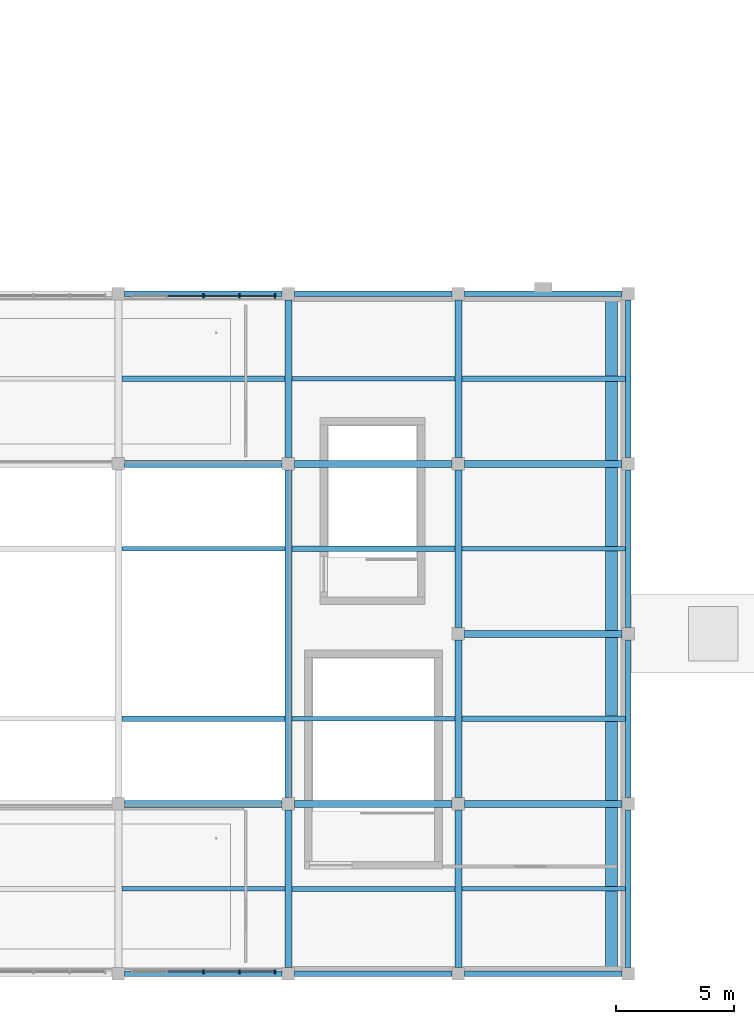
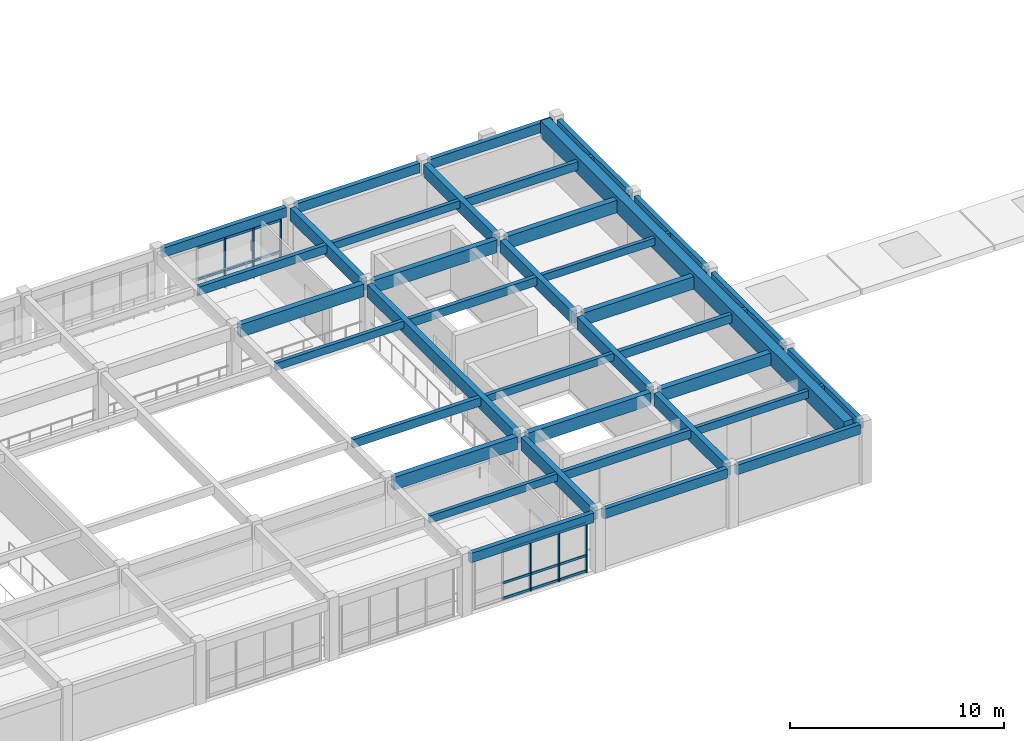
# One storey, part 12 of 74: 37 beams, 24 members, 2 elements without a shape of their own.
"""IFC4 building model written with IfcOpenShell, lengths in metres."""

from ifc_helpers import new_model, si_unit, direction, frame, origin, origin_2d, place, context, subcontext, project, spatial, rectangle, extrude, material, material_profile, profile_set, type_object, element, aggregate, save


model = new_model("IFC4")

# Units and contexts
model_context = context("Model", 3, precision=1e-05, world=origin(), true_north=direction((0.0, 1.0)))
body_context = subcontext(model_context, "Body", "Model", "MODEL_VIEW")
ifc_project = project(units=[si_unit("LENGTHUNIT", "METRE"), si_unit("AREAUNIT", "SQUARE_METRE"), si_unit("VOLUMEUNIT", "CUBIC_METRE"), si_unit("PLANEANGLEUNIT", "RADIAN"), si_unit("MASSUNIT", "GRAM", prefix="KILO")], contexts=[model_context])

# Site, building, storey
site_placement = place(None, origin())
site = spatial("IfcSite", under=ifc_project, at=site_placement, CompositionType="ELEMENT")
building_placement = place(site_placement, origin())
building = spatial("IfcBuilding", under=site, at=building_placement, Name="Alvorim Cloister Faculty of Sciences", CompositionType="ELEMENT")
storey_placement = place(building_placement, frame((0.0, 0.0, 15.75)))
storey = spatial("IfcBuildingStorey", under=building, at=storey_placement, Name="L04", CompositionType="ELEMENT", Elevation=15.75)

# Beams
ifc_material_1 = material(Name="Glulam GL32h", Category="wood")
ifc_material_profile_1 = material_profile(ifc_material_1, rectangle(XDim=0.300048828125, YDim=0.719970703125, at=origin_2d()), Name="GL32-BM-300x720")
ifc_profile_set_1 = profile_set([ifc_material_profile_1], Name="Glulam GL32h")
beam_type_1 = type_object("IfcBeamType", Name="BM-GL-300x720", PredefinedType="BEAM", material=ifc_profile_set_1)
for number, where, z_axis, x_axis, name in (
    (1, (93.860107421875, 7.199951171875, 3.030029296875), (1.0, 0.0, 0.0), (0.0, 1.0, 0.0), "L04 Primary Beam BM-1736"),
    (2, (101.06005859375, 7.199951171875, 3.030029296875), (1.0, 0.0, 0.0), (0.0, 1.0, 0.0), "L04 Primary Beam BM-1737"),
    (3, (108.260009765625, 7.199951171875, 3.030029296875), (1.0, 0.0, 0.0), (0.0, 1.0, 0.0), "L04 Primary Beam BM-1738"),
    (4, (108.260009765625, 14.39990234375, 3.030029296875), (1.0, 0.0, 0.0), (0.0, 1.0, 0.0), "L04 Primary Beam BM-1743"),
    (5, (93.860107421875, 21.60009765625, 3.030029296875), (1.0, 0.0, 0.0), (0.0, 1.0, 0.0), "L04 Primary Beam BM-1749"),
    (6, (101.06005859375, 21.60009765625, 3.030029296875), (1.0, 0.0, 0.0), (0.0, 1.0, 0.0), "L04 Primary Beam BM-1750"),
    (7, (108.260009765625, 21.60009765625, 3.030029296875), (1.0, 0.0, 0.0), (0.0, 1.0, 0.0), "L04 Primary Beam BM-1751"),
    (8, (100.800048828125, 0.260009765625, 3.030029296875), (0.0, 1.0, 0.0), (-1.0, 0.0, 0.0), "L04 Primary Girder BM-1880"),
):
    element("IfcBeam", number, at=place(storey_placement, frame(where, z_axis=z_axis, x_axis=x_axis)), inside=storey, type_object=beam_type_1, Name=name, PredefinedType="BEAM", context=body_context, shape_type="SweptSolid", body=[
        extrude(rectangle(XDim=0.300048828125, YDim=0.719970703125, at=origin_2d()), origin(), (0.0, 0.0, 1.0), 6.679931640625),
    ])
beam_1_placement = place(storey_placement, frame((100.800048828125, 7.4599609375, 3.030029296875), z_axis=(0.0, 1.0, 0.0), x_axis=(-1.0, 0.0, 0.0)))
element("IfcBeam", 9, at=beam_1_placement, inside=storey, type_object=beam_type_1, Name="L04 Primary Girder BM-1881", PredefinedType="BEAM", context=body_context, shape_type="SweptSolid", body=[
    extrude(rectangle(XDim=0.300048828125, YDim=0.719970703125, at=origin_2d()), origin(), (0.0, 0.0, 1.0), 13.880126953125),
])
for number, where, z_axis, x_axis, name in (
    (10, (100.800048828125, 21.860107421875, 3.030029296875), (0.0, 1.0, 0.0), (-1.0, 0.0, 0.0), "L04 Primary Girder BM-1882"),
    (11, (108.0, 0.260009765625, 3.030029296875), (0.0, 1.0, 0.0), (-1.0, 0.0, 0.0), "L04 Primary Girder BM-1883"),
    (12, (108.0, 7.4599609375, 3.030029296875), (0.0, 1.0, 0.0), (-1.0, 0.0, 0.0), "L04 Primary Girder BM-1884"),
):
    element("IfcBeam", number, at=place(storey_placement, frame(where, z_axis=z_axis, x_axis=x_axis)), inside=storey, type_object=beam_type_1, Name=name, PredefinedType="BEAM", context=body_context, shape_type="SweptSolid", body=[
        extrude(rectangle(XDim=0.300048828125, YDim=0.719970703125, at=origin_2d()), origin(), (0.0, 0.0, 1.0), 6.679931640625),
    ])
beam_2_placement = place(storey_placement, frame((108.0, 14.659912109375, 3.030029296875), z_axis=(0.0, 1.0, 0.0), x_axis=(-1.0, 0.0, 0.0)))
element("IfcBeam", 13, at=beam_2_placement, inside=storey, type_object=beam_type_1, Name="L04 Primary Girder BM-1885", PredefinedType="BEAM", context=body_context, shape_type="SweptSolid", body=[
    extrude(rectangle(XDim=0.300048828125, YDim=0.719970703125, at=origin_2d()), origin(), (0.0, 0.0, 1.0), 6.68017578125),
])
beam_3_placement = place(storey_placement, frame((108.0, 21.860107421875, 3.030029296875), z_axis=(0.0, 1.0, 0.0), x_axis=(-1.0, 0.0, 0.0)))
element("IfcBeam", 14, at=beam_3_placement, inside=storey, type_object=beam_type_1, Name="L04 Primary Girder BM-1886", PredefinedType="BEAM", context=body_context, shape_type="SweptSolid", body=[
    extrude(rectangle(XDim=0.300048828125, YDim=0.719970703125, at=origin_2d()), origin(), (0.0, 0.0, 1.0), 6.679931640625),
])
ifc_material_2 = material(Name="Glulam GL28h", Category="wood")
ifc_material_profile_2 = material_profile(ifc_material_2, rectangle(XDim=0.199951171875, YDim=0.419921875, at=origin_2d()), Name="GL28-JST-200x420")
ifc_profile_set_2 = profile_set([ifc_material_profile_2], Name="Glulam GL28h")
beam_type_2 = type_object("IfcBeamType", Name="BM-JST-GL-200x420", PredefinedType="JOIST", material=ifc_profile_set_2)
for number, where, z_axis, x_axis, name in (
    (15, (93.75, 3.60009765625, 3.179931640625), (1.0, 0.0, 0.0), (0.0, 1.0, 0.0), "L04 Secondary Floor Joist BM-1953"),
    (16, (93.75, 18.0, 3.179931640625), (1.0, 0.0, 0.0), (0.0, 1.0, 0.0), "L04 Secondary Floor Joist BM-1955"),
):
    element("IfcBeam", number, at=place(storey_placement, frame(where, z_axis=z_axis, x_axis=x_axis)), inside=storey, type_object=beam_type_2, Name=name, PredefinedType="JOIST", context=body_context, shape_type="SweptSolid", body=[
        extrude(rectangle(XDim=0.199951171875, YDim=0.419921875, at=origin_2d()), origin(), (0.0, 0.0, 1.0), 6.89990234375),
    ])
for number, where, z_axis, x_axis, name in (
    (17, (100.949951171875, 10.800048828125, 3.179931640625), (1.0, 0.0, 0.0), (0.0, 1.0, 0.0), "L04 Secondary Floor Joist BM-1958"),
    (18, (100.949951171875, 25.199951171875, 3.179931640625), (1.0, 0.0, 0.0), (0.0, 1.0, 0.0), "L04 Secondary Floor Joist BM-1960"),
):
    element("IfcBeam", number, at=place(storey_placement, frame(where, z_axis=z_axis, x_axis=x_axis)), inside=storey, type_object=beam_type_2, Name=name, PredefinedType="JOIST", context=body_context, shape_type="SweptSolid", body=[
        extrude(rectangle(XDim=0.199951171875, YDim=0.419921875, at=origin_2d()), origin(), (0.0, 0.0, 1.0), 6.900146484375),
    ])
for number, where, z_axis, x_axis, name in (
    (19, (108.14990234375, 3.60009765625, 3.179931640625), (1.0, 0.0, 0.0), (0.0, 1.0, 0.0), "L04 Secondary Floor Joist BM-1961"),
    (20, (108.14990234375, 18.0, 3.179931640625), (1.0, 0.0, 0.0), (0.0, 1.0, 0.0), "L04 Secondary Floor Joist BM-1963"),
):
    element("IfcBeam", number, at=place(storey_placement, frame(where, z_axis=z_axis, x_axis=x_axis)), inside=storey, type_object=beam_type_2, Name=name, PredefinedType="JOIST", context=body_context, shape_type="SweptSolid", body=[
        extrude(rectangle(XDim=0.199951171875, YDim=0.419921875, at=origin_2d()), origin(), (0.0, 0.0, 1.0), 6.93017578125),
    ])
ifc_material_profile_3 = material_profile(ifc_material_2, rectangle(XDim=0.219970703125, YDim=0.47998046875, at=origin_2d()), Name="GL28-JST-220x480")
ifc_profile_set_3 = profile_set([ifc_material_profile_3], Name="Glulam GL28h")
beam_type_3 = type_object("IfcBeamType", Name="BM-JST-GL-220x480", PredefinedType="JOIST", material=ifc_profile_set_3)
for number, where, z_axis, x_axis, name in (
    (21, (93.75, 10.800048828125, 3.14990234375), (1.0, 0.0, 0.0), (0.0, 1.0, 0.0), "L04 Secondary Floor Joist BM-1954"),
    (22, (93.75, 25.199951171875, 3.14990234375), (1.0, 0.0, 0.0), (0.0, 1.0, 0.0), "L04 Secondary Floor Joist BM-1956"),
):
    element("IfcBeam", number, at=place(storey_placement, frame(where, z_axis=z_axis, x_axis=x_axis)), inside=storey, type_object=beam_type_3, Name=name, PredefinedType="JOIST", context=body_context, shape_type="SweptSolid", body=[
        extrude(rectangle(XDim=0.219970703125, YDim=0.47998046875, at=origin_2d()), origin(), (0.0, 0.0, 1.0), 6.89990234375),
    ])
for number, where, z_axis, x_axis, name in (
    (23, (100.949951171875, 3.60009765625, 3.14990234375), (1.0, 0.0, 0.0), (0.0, 1.0, 0.0), "L04 Secondary Floor Joist BM-1957"),
    (24, (100.949951171875, 18.0, 3.14990234375), (1.0, 0.0, 0.0), (0.0, 1.0, 0.0), "L04 Secondary Floor Joist BM-1959"),
):
    element("IfcBeam", number, at=place(storey_placement, frame(where, z_axis=z_axis, x_axis=x_axis)), inside=storey, type_object=beam_type_3, Name=name, PredefinedType="JOIST", context=body_context, shape_type="SweptSolid", body=[
        extrude(rectangle(XDim=0.219970703125, YDim=0.47998046875, at=origin_2d()), origin(), (0.0, 0.0, 1.0), 6.900146484375),
    ])
for number, where, z_axis, x_axis, name in (
    (25, (108.14990234375, 10.800048828125, 3.14990234375), (1.0, 0.0, 0.0), (0.0, 1.0, 0.0), "L04 Secondary Floor Joist BM-1962"),
    (26, (108.14990234375, 25.199951171875, 3.14990234375), (1.0, 0.0, 0.0), (0.0, 1.0, 0.0), "L04 Secondary Floor Joist BM-1964"),
):
    element("IfcBeam", number, at=place(storey_placement, frame(where, z_axis=z_axis, x_axis=x_axis)), inside=storey, type_object=beam_type_3, Name=name, PredefinedType="JOIST", context=body_context, shape_type="SweptSolid", body=[
        extrude(rectangle(XDim=0.219970703125, YDim=0.47998046875, at=origin_2d()), origin(), (0.0, 0.0, 1.0), 6.93017578125),
    ])
ifc_material_3 = material(Name="Concrete C40", Category="concrete")
ifc_material_profile_4 = material_profile(ifc_material_3, rectangle(XDim=0.5, YDim=0.949951171875, at=origin_2d()), Name="RC40-BM-500x950")
ifc_profile_set_4 = profile_set([ifc_material_profile_4], Name="Concrete C40")
beam_type_4 = type_object("IfcBeamType", Name="BM-RC-500x950", PredefinedType="BEAM", material=ifc_profile_set_4)
beam_4_placement = place(storey_placement, frame((114.47998046875, 0.199951171875, 3.125), z_axis=(0.0, 1.0, 0.0), x_axis=(-1.0, 0.0, 0.0)))
element("IfcBeam", 27, at=beam_4_placement, inside=storey, type_object=beam_type_4, Name="L04 SH-V3 Gable Tympanum Sill Girder BM-2514", PredefinedType="BEAM", context=body_context, shape_type="SweptSolid", body=[
    extrude(rectangle(XDim=0.5, YDim=0.949951171875, at=origin_2d()), origin(), (0.0, 0.0, 1.0), 28.400146484375),
])
ifc_material_profile_5 = material_profile(ifc_material_2, rectangle(XDim=0.239990234375, YDim=0.5400390625, at=origin_2d()), Name="GL28-SPD-240x540")
ifc_profile_set_5 = profile_set([ifc_material_profile_5], Name="Glulam GL28h")
beam_type_5 = type_object("IfcBeamType", Name="BM-SPD-GL-240x540", PredefinedType="SPANDREL", material=ifc_profile_set_5)
for number, where, z_axis, x_axis, name in (
    (28, (93.860107421875, 0.0, 3.1201171875), (1.0, 0.0, 0.0), (0.0, 1.0, 0.0), "L04 Primary Beam BM-1726"),
    (29, (101.06005859375, 0.0, 3.1201171875), (1.0, 0.0, 0.0), (0.0, 1.0, 0.0), "L04 Primary Beam BM-1727"),
    (30, (108.260009765625, 0.0, 3.1201171875), (1.0, 0.0, 0.0), (0.0, 1.0, 0.0), "L04 Primary Beam BM-1728"),
    (31, (93.860107421875, 28.800048828125, 3.1201171875), (1.0, 0.0, 0.0), (0.0, 1.0, 0.0), "L04 Primary Beam BM-1756"),
    (32, (101.06005859375, 28.800048828125, 3.1201171875), (1.0, 0.0, 0.0), (0.0, 1.0, 0.0), "L04 Primary Beam BM-1757"),
    (33, (108.260009765625, 28.800048828125, 3.1201171875), (1.0, 0.0, 0.0), (0.0, 1.0, 0.0), "L04 Primary Beam BM-1758"),
    (34, (115.199951171875, 0.260009765625, 3.1201171875), (0.0, 1.0, 0.0), (-1.0, 0.0, 0.0), "L04 Primary Girder BM-1887"),
    (35, (115.199951171875, 7.4599609375, 3.1201171875), (0.0, 1.0, 0.0), (-1.0, 0.0, 0.0), "L04 Primary Girder BM-1888"),
):
    element("IfcBeam", number, at=place(storey_placement, frame(where, z_axis=z_axis, x_axis=x_axis)), inside=storey, type_object=beam_type_5, Name=name, PredefinedType="SPANDREL", context=body_context, shape_type="SweptSolid", body=[
        extrude(rectangle(XDim=0.239990234375, YDim=0.5400390625, at=origin_2d()), origin(), (0.0, 0.0, 1.0), 6.679931640625),
    ])
beam_5_placement = place(storey_placement, frame((115.199951171875, 14.659912109375, 3.1201171875), z_axis=(0.0, 1.0, 0.0), x_axis=(-1.0, 0.0, 0.0)))
element("IfcBeam", 36, at=beam_5_placement, inside=storey, type_object=beam_type_5, Name="L04 Primary Girder BM-1889", PredefinedType="SPANDREL", context=body_context, shape_type="SweptSolid", body=[
    extrude(rectangle(XDim=0.239990234375, YDim=0.5400390625, at=origin_2d()), origin(), (0.0, 0.0, 1.0), 6.68017578125),
])
beam_6_placement = place(storey_placement, frame((115.199951171875, 21.860107421875, 3.1201171875), z_axis=(0.0, 1.0, 0.0), x_axis=(-1.0, 0.0, 0.0)))
element("IfcBeam", 37, at=beam_6_placement, inside=storey, type_object=beam_type_5, Name="L04 Primary Girder BM-1890", PredefinedType="SPANDREL", context=body_context, shape_type="SweptSolid", body=[
    extrude(rectangle(XDim=0.239990234375, YDim=0.5400390625, at=origin_2d()), origin(), (0.0, 0.0, 1.0), 6.679931640625),
])

# Curtain wall, members
ifc_material_4 = material(Name="Aluminium and Low-E Glass Curtain Wall", Category="aluminium")
curtain_wall_type = type_object("IfcCurtainWallType", Name="CW-GLZ-6120x2850", PredefinedType="USERDEFINED", material=ifc_material_4)
curtain_wall_1_placement = place(storey_placement, origin())
curtain_wall_1 = element("IfcCurtainWall", 38, at=curtain_wall_1_placement, inside=storey, type_object=curtain_wall_type, Name="L04 Entrance and Atrium Glazed Curtain Wall CW-0203", ObjectType="UNITISED CURTAIN WALL", PredefinedType="USERDEFINED")
ifc_material_5 = material(Name="Aluminium Alloy 6063-T6", Category="aluminium")
ifc_material_profile_6 = material_profile(ifc_material_5, rectangle(XDim=0.06494140625, YDim=0.179931640625, at=origin_2d()), Name="ALU-MUL-65x180")
ifc_profile_set_6 = profile_set([ifc_material_profile_6], Name="Aluminium Alloy 6063-T6")
member_type_1 = type_object("IfcMemberType", Name="CW-MUL-65x180", PredefinedType="MULLION", material=ifc_profile_set_6)
member_1_placement = place(storey_placement, frame((97.199951171875, 0.090087890625, 0.0), z_axis=(0.0, 0.0, 1.0), x_axis=(1.0, 0.0, 0.0)))
member_1 = element("IfcMember", 39, at=member_1_placement, type_object=member_type_1, Name="CW-10 mullion 3", PredefinedType="MULLION", context=body_context, shape_type="SweptSolid", body=[
    extrude(rectangle(XDim=0.06494140625, YDim=0.179931640625, at=origin_2d()), origin(), (0.0, 0.0, 1.0), 2.85009765625),
])
member_2_placement = place(storey_placement, frame((98.72998046875, 0.090087890625, 0.0), z_axis=(0.0, 0.0, 1.0), x_axis=(1.0, 0.0, 0.0)))
member_2 = element("IfcMember", 40, at=member_2_placement, type_object=member_type_1, Name="CW-10 mullion 4", PredefinedType="MULLION", context=body_context, shape_type="SweptSolid", body=[
    extrude(rectangle(XDim=0.06494140625, YDim=0.179931640625, at=origin_2d()), origin(), (0.0, 0.0, 1.0), 2.85009765625),
])
member_3_placement = place(storey_placement, frame((100.2275390625, 0.090087890625, 0.0), z_axis=(0.0, 0.0, 1.0), x_axis=(1.0, 0.0, 0.0)))
member_3 = element("IfcMember", 41, at=member_3_placement, type_object=member_type_1, Name="CW-10 mullion 5", PredefinedType="MULLION", context=body_context, shape_type="SweptSolid", body=[
    extrude(rectangle(XDim=0.06494140625, YDim=0.179931640625, at=origin_2d()), origin(), (0.0, 0.0, 1.0), 2.85009765625),
])

curtain_wall_2_placement = place(storey_placement, origin())
curtain_wall_2 = element("IfcCurtainWall", 42, at=curtain_wall_2_placement, inside=storey, type_object=curtain_wall_type, Name="L04 Entrance and Atrium Glazed Curtain Wall CW-0212", ObjectType="UNITISED CURTAIN WALL", PredefinedType="USERDEFINED")
member_4_placement = place(storey_placement, frame((97.199951171875, 28.7099609375, 0.0), z_axis=(0.0, 0.0, 1.0), x_axis=(1.0, 0.0, 0.0)))
member_4 = element("IfcMember", 43, at=member_4_placement, type_object=member_type_1, Name="CW-10 mullion 3", PredefinedType="MULLION", context=body_context, shape_type="SweptSolid", body=[
    extrude(rectangle(XDim=0.06494140625, YDim=0.179931640625, at=origin_2d()), origin(), (0.0, 0.0, 1.0), 2.85009765625),
])
member_5_placement = place(storey_placement, frame((98.72998046875, 28.7099609375, 0.0), z_axis=(0.0, 0.0, 1.0), x_axis=(1.0, 0.0, 0.0)))
member_5 = element("IfcMember", 44, at=member_5_placement, type_object=member_type_1, Name="CW-10 mullion 4", PredefinedType="MULLION", context=body_context, shape_type="SweptSolid", body=[
    extrude(rectangle(XDim=0.06494140625, YDim=0.179931640625, at=origin_2d()), origin(), (0.0, 0.0, 1.0), 2.85009765625),
])
member_6_placement = place(storey_placement, frame((100.2275390625, 28.7099609375, 0.0), z_axis=(0.0, 0.0, 1.0), x_axis=(1.0, 0.0, 0.0)))
member_6 = element("IfcMember", 45, at=member_6_placement, type_object=member_type_1, Name="CW-10 mullion 5", PredefinedType="MULLION", context=body_context, shape_type="SweptSolid", body=[
    extrude(rectangle(XDim=0.06494140625, YDim=0.179931640625, at=origin_2d()), origin(), (0.0, 0.0, 1.0), 2.85009765625),
])

# Member
ifc_material_profile_7 = material_profile(ifc_material_5, rectangle(XDim=0.06494140625, YDim=0.139892578125, at=origin_2d()), Name="ALU-TRN-65x140")
ifc_profile_set_7 = profile_set([ifc_material_profile_7], Name="Aluminium Alloy 6063-T6")
member_type_2 = type_object("IfcMemberType", Name="CW-TRN-65x140", PredefinedType="USERDEFINED", material=ifc_profile_set_7)
member_7_placement = place(storey_placement, frame((95.702392578125, 0.090087890625, 0.070068359375), z_axis=(1.0, 0.0, 0.0), x_axis=(0.0, 1.0, 0.0)))
member_7 = element("IfcMember", 46, at=member_7_placement, type_object=member_type_2, Name="CW-10 transom 2.1", ObjectType="TRANSOM", PredefinedType="USERDEFINED", context=body_context, shape_type="SweptSolid", body=[
    extrude(rectangle(XDim=0.06494140625, YDim=0.139892578125, at=origin_2d()), origin(), (0.0, 0.0, 1.0), 1.465087890625),
])

member_8_placement = place(storey_placement, frame((95.702392578125, 0.090087890625, 0.949951171875), z_axis=(1.0, 0.0, 0.0), x_axis=(0.0, 1.0, 0.0)))
member_8 = element("IfcMember", 47, at=member_8_placement, type_object=member_type_2, Name="CW-10 transom 2.2", ObjectType="TRANSOM", PredefinedType="USERDEFINED", context=body_context, shape_type="SweptSolid", body=[
    extrude(rectangle(XDim=0.06494140625, YDim=0.139892578125, at=origin_2d()), origin(), (0.0, 0.0, 1.0), 1.465087890625),
])

member_9_placement = place(storey_placement, frame((95.702392578125, 0.090087890625, 2.780029296875), z_axis=(1.0, 0.0, 0.0), x_axis=(0.0, 1.0, 0.0)))
member_9 = element("IfcMember", 48, at=member_9_placement, type_object=member_type_2, Name="CW-10 transom 2.3", ObjectType="TRANSOM", PredefinedType="USERDEFINED", context=body_context, shape_type="SweptSolid", body=[
    extrude(rectangle(XDim=0.06494140625, YDim=0.139892578125, at=origin_2d()), origin(), (0.0, 0.0, 1.0), 1.465087890625),
])

member_10_placement = place(storey_placement, frame((97.232421875, 0.090087890625, 0.070068359375), z_axis=(1.0, 0.0, 0.0), x_axis=(0.0, 1.0, 0.0)))
member_10 = element("IfcMember", 49, at=member_10_placement, type_object=member_type_2, Name="CW-10 transom 3.1", ObjectType="TRANSOM", PredefinedType="USERDEFINED", context=body_context, shape_type="SweptSolid", body=[
    extrude(rectangle(XDim=0.06494140625, YDim=0.139892578125, at=origin_2d()), origin(), (0.0, 0.0, 1.0), 1.465087890625),
])

member_11_placement = place(storey_placement, frame((97.232421875, 0.090087890625, 0.949951171875), z_axis=(1.0, 0.0, 0.0), x_axis=(0.0, 1.0, 0.0)))
member_11 = element("IfcMember", 50, at=member_11_placement, type_object=member_type_2, Name="CW-10 transom 3.2", ObjectType="TRANSOM", PredefinedType="USERDEFINED", context=body_context, shape_type="SweptSolid", body=[
    extrude(rectangle(XDim=0.06494140625, YDim=0.139892578125, at=origin_2d()), origin(), (0.0, 0.0, 1.0), 1.465087890625),
])

member_12_placement = place(storey_placement, frame((97.232421875, 0.090087890625, 2.780029296875), z_axis=(1.0, 0.0, 0.0), x_axis=(0.0, 1.0, 0.0)))
member_12 = element("IfcMember", 51, at=member_12_placement, type_object=member_type_2, Name="CW-10 transom 3.3", ObjectType="TRANSOM", PredefinedType="USERDEFINED", context=body_context, shape_type="SweptSolid", body=[
    extrude(rectangle(XDim=0.06494140625, YDim=0.139892578125, at=origin_2d()), origin(), (0.0, 0.0, 1.0), 1.465087890625),
])

member_13_placement = place(storey_placement, frame((98.762451171875, 0.090087890625, 0.070068359375), z_axis=(1.0, 0.0, 0.0), x_axis=(0.0, 1.0, 0.0)))
member_13 = element("IfcMember", 52, at=member_13_placement, type_object=member_type_2, Name="CW-10 transom 4.1", ObjectType="TRANSOM", PredefinedType="USERDEFINED", context=body_context, shape_type="SweptSolid", body=[
    extrude(rectangle(XDim=0.06494140625, YDim=0.139892578125, at=origin_2d()), origin(), (0.0, 0.0, 1.0), 1.4326171875),
])

member_14_placement = place(storey_placement, frame((98.762451171875, 0.090087890625, 0.949951171875), z_axis=(1.0, 0.0, 0.0), x_axis=(0.0, 1.0, 0.0)))
member_14 = element("IfcMember", 53, at=member_14_placement, type_object=member_type_2, Name="CW-10 transom 4.2", ObjectType="TRANSOM", PredefinedType="USERDEFINED", context=body_context, shape_type="SweptSolid", body=[
    extrude(rectangle(XDim=0.06494140625, YDim=0.139892578125, at=origin_2d()), origin(), (0.0, 0.0, 1.0), 1.4326171875),
])

member_15_placement = place(storey_placement, frame((98.762451171875, 0.090087890625, 2.780029296875), z_axis=(1.0, 0.0, 0.0), x_axis=(0.0, 1.0, 0.0)))
member_15 = element("IfcMember", 54, at=member_15_placement, type_object=member_type_2, Name="CW-10 transom 4.3", ObjectType="TRANSOM", PredefinedType="USERDEFINED", context=body_context, shape_type="SweptSolid", body=[
    extrude(rectangle(XDim=0.06494140625, YDim=0.139892578125, at=origin_2d()), origin(), (0.0, 0.0, 1.0), 1.4326171875),
])

aggregate(curtain_wall_1, [member_1, member_2, member_3, member_7, member_8, member_9, member_10, member_11, member_12, member_13, member_14, member_15])

member_16_placement = place(storey_placement, frame((95.702392578125, 28.7099609375, 0.070068359375), z_axis=(1.0, 0.0, 0.0), x_axis=(0.0, 1.0, 0.0)))
member_16 = element("IfcMember", 55, at=member_16_placement, type_object=member_type_2, Name="CW-10 transom 2.1", ObjectType="TRANSOM", PredefinedType="USERDEFINED", context=body_context, shape_type="SweptSolid", body=[
    extrude(rectangle(XDim=0.06494140625, YDim=0.139892578125, at=origin_2d()), origin(), (0.0, 0.0, 1.0), 1.465087890625),
])

member_17_placement = place(storey_placement, frame((95.702392578125, 28.7099609375, 0.949951171875), z_axis=(1.0, 0.0, 0.0), x_axis=(0.0, 1.0, 0.0)))
member_17 = element("IfcMember", 56, at=member_17_placement, type_object=member_type_2, Name="CW-10 transom 2.2", ObjectType="TRANSOM", PredefinedType="USERDEFINED", context=body_context, shape_type="SweptSolid", body=[
    extrude(rectangle(XDim=0.06494140625, YDim=0.139892578125, at=origin_2d()), origin(), (0.0, 0.0, 1.0), 1.465087890625),
])

member_18_placement = place(storey_placement, frame((95.702392578125, 28.7099609375, 2.780029296875), z_axis=(1.0, 0.0, 0.0), x_axis=(0.0, 1.0, 0.0)))
member_18 = element("IfcMember", 57, at=member_18_placement, type_object=member_type_2, Name="CW-10 transom 2.3", ObjectType="TRANSOM", PredefinedType="USERDEFINED", context=body_context, shape_type="SweptSolid", body=[
    extrude(rectangle(XDim=0.06494140625, YDim=0.139892578125, at=origin_2d()), origin(), (0.0, 0.0, 1.0), 1.465087890625),
])

member_19_placement = place(storey_placement, frame((97.232421875, 28.7099609375, 0.070068359375), z_axis=(1.0, 0.0, 0.0), x_axis=(0.0, 1.0, 0.0)))
member_19 = element("IfcMember", 58, at=member_19_placement, type_object=member_type_2, Name="CW-10 transom 3.1", ObjectType="TRANSOM", PredefinedType="USERDEFINED", context=body_context, shape_type="SweptSolid", body=[
    extrude(rectangle(XDim=0.06494140625, YDim=0.139892578125, at=origin_2d()), origin(), (0.0, 0.0, 1.0), 1.465087890625),
])

member_20_placement = place(storey_placement, frame((97.232421875, 28.7099609375, 0.949951171875), z_axis=(1.0, 0.0, 0.0), x_axis=(0.0, 1.0, 0.0)))
member_20 = element("IfcMember", 59, at=member_20_placement, type_object=member_type_2, Name="CW-10 transom 3.2", ObjectType="TRANSOM", PredefinedType="USERDEFINED", context=body_context, shape_type="SweptSolid", body=[
    extrude(rectangle(XDim=0.06494140625, YDim=0.139892578125, at=origin_2d()), origin(), (0.0, 0.0, 1.0), 1.465087890625),
])

member_21_placement = place(storey_placement, frame((97.232421875, 28.7099609375, 2.780029296875), z_axis=(1.0, 0.0, 0.0), x_axis=(0.0, 1.0, 0.0)))
member_21 = element("IfcMember", 60, at=member_21_placement, type_object=member_type_2, Name="CW-10 transom 3.3", ObjectType="TRANSOM", PredefinedType="USERDEFINED", context=body_context, shape_type="SweptSolid", body=[
    extrude(rectangle(XDim=0.06494140625, YDim=0.139892578125, at=origin_2d()), origin(), (0.0, 0.0, 1.0), 1.465087890625),
])

member_22_placement = place(storey_placement, frame((98.762451171875, 28.7099609375, 0.070068359375), z_axis=(1.0, 0.0, 0.0), x_axis=(0.0, 1.0, 0.0)))
member_22 = element("IfcMember", 61, at=member_22_placement, type_object=member_type_2, Name="CW-10 transom 4.1", ObjectType="TRANSOM", PredefinedType="USERDEFINED", context=body_context, shape_type="SweptSolid", body=[
    extrude(rectangle(XDim=0.06494140625, YDim=0.139892578125, at=origin_2d()), origin(), (0.0, 0.0, 1.0), 1.4326171875),
])

member_23_placement = place(storey_placement, frame((98.762451171875, 28.7099609375, 0.949951171875), z_axis=(1.0, 0.0, 0.0), x_axis=(0.0, 1.0, 0.0)))
member_23 = element("IfcMember", 62, at=member_23_placement, type_object=member_type_2, Name="CW-10 transom 4.2", ObjectType="TRANSOM", PredefinedType="USERDEFINED", context=body_context, shape_type="SweptSolid", body=[
    extrude(rectangle(XDim=0.06494140625, YDim=0.139892578125, at=origin_2d()), origin(), (0.0, 0.0, 1.0), 1.4326171875),
])

member_24_placement = place(storey_placement, frame((98.762451171875, 28.7099609375, 2.780029296875), z_axis=(1.0, 0.0, 0.0), x_axis=(0.0, 1.0, 0.0)))
member_24 = element("IfcMember", 63, at=member_24_placement, type_object=member_type_2, Name="CW-10 transom 4.3", ObjectType="TRANSOM", PredefinedType="USERDEFINED", context=body_context, shape_type="SweptSolid", body=[
    extrude(rectangle(XDim=0.06494140625, YDim=0.139892578125, at=origin_2d()), origin(), (0.0, 0.0, 1.0), 1.4326171875),
])

aggregate(curtain_wall_2, [member_4, member_5, member_6, member_16, member_17, member_18, member_19, member_20, member_21, member_22, member_23, member_24])

save(model, "model.ifc")
